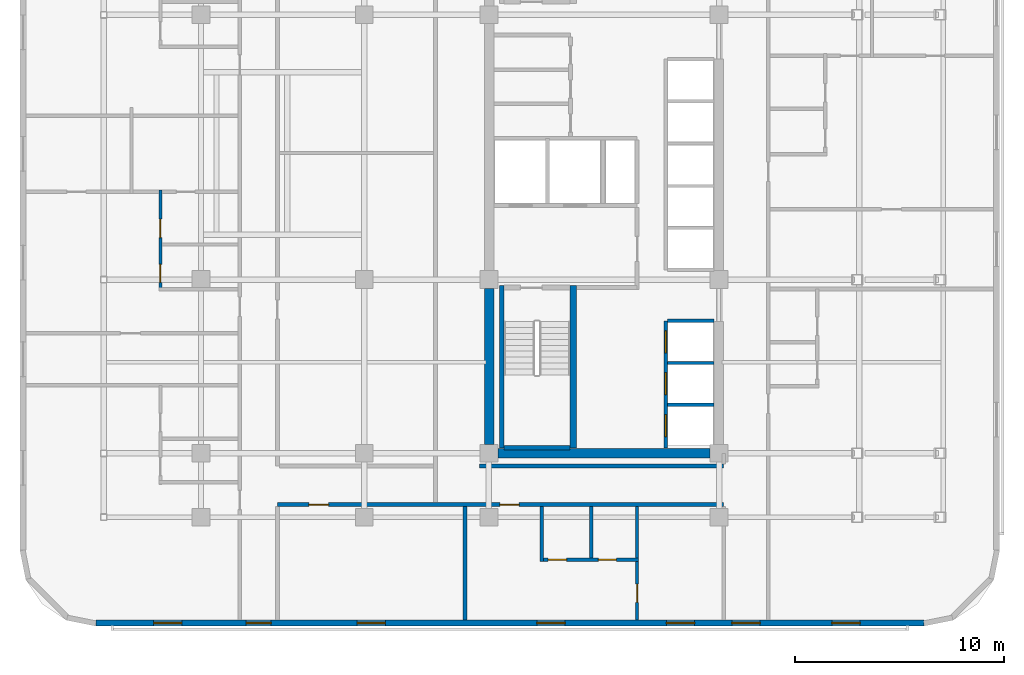
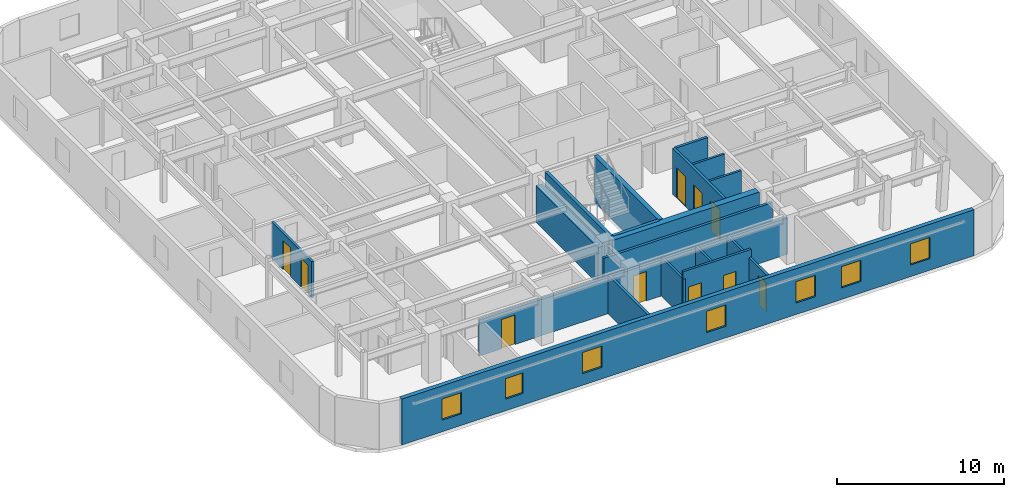
# One storey, part 6 of 14: 18 walls, 10 doors, 7 windows, 17 openings.
"""IFC4 building model written with IfcOpenShell, lengths in metres."""

from ifc_helpers import new_model, si_unit, direction, frame, frame_2d, origin, place, context, subcontext, project, spatial, rectangle, extrude, material, layer, layer_set, type_object, element, fill, save


model = new_model("IFC4")

# Units and contexts
model_context = context("Model", 3, precision=1e-05, world=origin(), true_north=direction((0.0, 1.0)))
body_context = subcontext(model_context, "Body", "Model", "MODEL_VIEW")
ifc_project = project(units=[si_unit("LENGTHUNIT", "METRE"), si_unit("AREAUNIT", "SQUARE_METRE"), si_unit("VOLUMEUNIT", "CUBIC_METRE"), si_unit("PLANEANGLEUNIT", "RADIAN"), si_unit("MASSUNIT", "GRAM", prefix="KILO")], contexts=[model_context])

# Site, building, storey
site_placement = place(None, origin())
site = spatial("IfcSite", under=ifc_project, at=site_placement, CompositionType="ELEMENT")
building_placement = place(site_placement, origin())
building = spatial("IfcBuilding", under=site, at=building_placement, Name="Ochreholt Gables", CompositionType="ELEMENT")
storey_placement = place(building_placement, frame((0.0, 0.0, 52.800048828125)))
storey = spatial("IfcBuildingStorey", under=building, at=storey_placement, Name="L13", CompositionType="ELEMENT", Elevation=52.800048828125)

# Walls
ifc_material_1 = material(Name="Concrete 60 MPa", Category="concrete")
ifc_layer_1 = layer(ifc_material_1, 0.449951171875, Name="Concrete 60 MPa")
ifc_layer_set_1 = layer_set([ifc_layer_1], Name="Concrete 60 MPa")
wall_type_1 = type_object("IfcWallType", Name="WALL-CSW-450", PredefinedType="SHEAR", material=ifc_layer_set_1)
wall_1_placement = place(storey_placement, frame((24.22509765625, 9.675048828125, 0.0), z_axis=(0.0, 0.0, 1.0), x_axis=(0.0, 1.0, 0.0)))
element("IfcWall", 1, at=wall_1_placement, inside=storey, type_object=wall_type_1, Name="L13 Core West Shear Wall WS", PredefinedType="SHEAR", context=body_context, shape_type="SweptSolid", body=[
    extrude(rectangle(XDim=7.449951171875, YDim=0.449951171875, at=frame_2d((3.72509765625, 0.0))), origin(), (0.0, 0.0, 1.0), 2.6669921875),
])
wall_2_placement = place(storey_placement, frame((24.625, 9.25, 0.0), z_axis=(0.0, 0.0, 1.0), x_axis=(1.0, 0.0, 0.0)))
element("IfcWall", 2, at=wall_2_placement, inside=storey, type_object=wall_type_1, Name="L13 Core South Shear Wall", PredefinedType="SHEAR", context=body_context, shape_type="SweptSolid", body=[
    extrude(rectangle(XDim=10.14990234375, YDim=0.449951171875, at=frame_2d((5.074951171875, 0.0))), origin(), (0.0, 0.0, 1.0), 3.35986328125),
])

# Wall, openings, windows
ifc_material_2 = material(Name="Precast concrete 40 MPa", Category="concrete")
ifc_layer_2 = layer(ifc_material_2, 0.2900390625, Name="Precast concrete 40 MPa")
ifc_layer_set_2 = layer_set([ifc_layer_2], Name="Precast concrete 40 MPa")
wall_type_2 = type_object("IfcWallType", Name="WALL-EXT-290", PredefinedType="SOLIDWALL", material=ifc_layer_set_2)
wall_3_placement = place(storey_placement, frame((5.419921875, 1.14501953125, 0.0), z_axis=(0.0, 0.0, 1.0), x_axis=(1.0, 0.0, 0.0)))
wall_3 = element("IfcWall", 3, at=wall_3_placement, inside=storey, type_object=wall_type_2, Name="L13 South Exterior Wall", PredefinedType="SOLIDWALL", context=body_context, shape_type="SweptSolid", body=[
    extrude(rectangle(XDim=39.56005859375, YDim=0.2900390625, at=frame_2d((19.780029296875, 0.0))), origin(), (0.0, 0.0, 1.0), 3.35986328125),
])
opening_1_placement = place(wall_3_placement, frame((2.764892578125, 0.0, 0.85009765625)))
opening_1 = element("IfcOpeningElement", 4, at=opening_1_placement, cuts=wall_3, Name="Opening WN-8", PredefinedType="OPENING", context=body_context, shape_type="SweptSolid", body=[
    extrude(rectangle(XDim=1.35009765625, YDim=1.550048828125, at=frame_2d((0.675048828125, 0.77490234375))), frame((0.0, 0.155029296875, 0.0), z_axis=(0.0, -1.0, 0.0), x_axis=(1.0, 0.0, 0.0)), (0.0, 0.0, 1.0), 0.31005859375),
])
opening_2_placement = place(wall_3_placement, frame((7.179931640625, 0.0, 0.85009765625)))
opening_2 = element("IfcOpeningElement", 5, at=opening_2_placement, cuts=wall_3, Name="Opening WN-3", PredefinedType="OPENING", context=body_context, shape_type="SweptSolid", body=[
    extrude(rectangle(XDim=1.199951171875, YDim=1.5, at=frame_2d((0.60009765625, 0.75))), frame((0.0, 0.155029296875, 0.0), z_axis=(0.0, -1.0, 0.0), x_axis=(1.0, 0.0, 0.0)), (0.0, 0.0, 1.0), 0.31005859375),
])
opening_3_placement = place(wall_3_placement, frame((12.482177734375, 0.0, 0.85009765625)))
opening_3 = element("IfcOpeningElement", 6, at=opening_3_placement, cuts=wall_3, Name="Opening WN-8", PredefinedType="OPENING", context=body_context, shape_type="SweptSolid", body=[
    extrude(rectangle(XDim=1.35009765625, YDim=1.550048828125, at=frame_2d((0.675048828125, 0.77490234375))), frame((0.0, 0.155029296875, 0.0), z_axis=(0.0, -1.0, 0.0), x_axis=(1.0, 0.0, 0.0)), (0.0, 0.0, 1.0), 0.31005859375),
])
opening_4_placement = place(wall_3_placement, frame((21.072265625, 0.0, 0.85009765625)))
opening_4 = element("IfcOpeningElement", 7, at=opening_4_placement, cuts=wall_3, Name="Opening WN-8", PredefinedType="OPENING", context=body_context, shape_type="SweptSolid", body=[
    extrude(rectangle(XDim=1.35009765625, YDim=1.550048828125, at=frame_2d((0.675048828125, 0.77490234375))), frame((0.0, 0.155029296875, 0.0), z_axis=(0.0, -1.0, 0.0), x_axis=(1.0, 0.0, 0.0)), (0.0, 0.0, 1.0), 0.31005859375),
])
opening_5_placement = place(wall_3_placement, frame((27.2548828125, 0.0, 0.85009765625)))
opening_5 = element("IfcOpeningElement", 8, at=opening_5_placement, cuts=wall_3, Name="Opening WN-8", PredefinedType="OPENING", context=body_context, shape_type="SweptSolid", body=[
    extrude(rectangle(XDim=1.35009765625, YDim=1.550048828125, at=frame_2d((0.675048828125, 0.77490234375))), frame((0.0, 0.155029296875, 0.0), z_axis=(0.0, -1.0, 0.0), x_axis=(1.0, 0.0, 0.0)), (0.0, 0.0, 1.0), 0.31005859375),
])
opening_6_placement = place(wall_3_placement, frame((30.389892578125, 0.0, 0.85009765625)))
opening_6 = element("IfcOpeningElement", 9, at=opening_6_placement, cuts=wall_3, Name="Opening WN-8", PredefinedType="OPENING", context=body_context, shape_type="SweptSolid", body=[
    extrude(rectangle(XDim=1.35009765625, YDim=1.550048828125, at=frame_2d((0.675048828125, 0.77490234375))), frame((0.0, 0.155029296875, 0.0), z_axis=(0.0, -1.0, 0.0), x_axis=(1.0, 0.0, 0.0)), (0.0, 0.0, 1.0), 0.31005859375),
])
opening_7_placement = place(wall_3_placement, frame((35.169921875, 0.0, 0.85009765625)))
opening_7 = element("IfcOpeningElement", 10, at=opening_7_placement, cuts=wall_3, Name="Opening WN-8", PredefinedType="OPENING", context=body_context, shape_type="SweptSolid", body=[
    extrude(rectangle(XDim=1.35009765625, YDim=1.550048828125, at=frame_2d((0.675048828125, 0.77490234375))), frame((0.0, 0.155029296875, 0.0), z_axis=(0.0, -1.0, 0.0), x_axis=(1.0, 0.0, 0.0)), (0.0, 0.0, 1.0), 0.31005859375),
])
ifc_material_3 = material(Name="Triple-Glazed Thermally Broken Aluminium Window", Category="aluminium")
window_type_1 = type_object("IfcWindowType", Name="WIN-RES-1200", PartitioningType="SINGLE_PANEL", PredefinedType="WINDOW", material=ifc_material_3)
window_1_placement = place(opening_2_placement, origin())
window_1 = element("IfcWindow", 11, at=window_1_placement, inside=storey, type_object=window_type_1, Name="L13 Window W-EXT-S-L13-2", OverallHeight=1.5, OverallWidth=1.199951171875, PartitioningType="SINGLE_PANEL", PredefinedType="WINDOW", context=body_context, shape_type="SweptSolid", body=[
    extrude(rectangle(XDim=1.199951171875, YDim=1.5, at=frame_2d((0.60009765625, 0.75))), frame((0.0, 0.030029296875, 0.0), z_axis=(0.0, -1.0, 0.0), x_axis=(1.0, 0.0, 0.0)), (0.0, 0.0, 1.0), 0.06005859375),
])
fill(opening_2, window_1)
window_type_2 = type_object("IfcWindowType", Name="WIN-RES-1350", PartitioningType="SINGLE_PANEL", PredefinedType="WINDOW", material=ifc_material_3)
window_2_placement = place(opening_1_placement, origin())
window_2 = element("IfcWindow", 12, at=window_2_placement, inside=storey, type_object=window_type_2, Name="L13 Window W-EXT-S-L13-1", OverallHeight=1.550048828125, OverallWidth=1.35009765625, PartitioningType="SINGLE_PANEL", PredefinedType="WINDOW", context=body_context, shape_type="SweptSolid", body=[
    extrude(rectangle(XDim=1.35009765625, YDim=1.550048828125, at=frame_2d((0.675048828125, 0.77490234375))), frame((0.0, 0.030029296875, 0.0), z_axis=(0.0, -1.0, 0.0), x_axis=(1.0, 0.0, 0.0)), (0.0, 0.0, 1.0), 0.06005859375),
])
fill(opening_1, window_2)
window_3_placement = place(opening_3_placement, origin())
window_3 = element("IfcWindow", 13, at=window_3_placement, inside=storey, type_object=window_type_2, Name="L13 Window W-EXT-S-L13-3", OverallHeight=1.550048828125, OverallWidth=1.35009765625, PartitioningType="SINGLE_PANEL", PredefinedType="WINDOW", context=body_context, shape_type="SweptSolid", body=[
    extrude(rectangle(XDim=1.35009765625, YDim=1.550048828125, at=frame_2d((0.675048828125, 0.77490234375))), frame((0.0, 0.030029296875, 0.0), z_axis=(0.0, -1.0, 0.0), x_axis=(1.0, 0.0, 0.0)), (0.0, 0.0, 1.0), 0.06005859375),
])
fill(opening_3, window_3)
window_4_placement = place(opening_4_placement, origin())
window_4 = element("IfcWindow", 14, at=window_4_placement, inside=storey, type_object=window_type_2, Name="L13 Window W-EXT-S-L13-4", OverallHeight=1.550048828125, OverallWidth=1.35009765625, PartitioningType="SINGLE_PANEL", PredefinedType="WINDOW", context=body_context, shape_type="SweptSolid", body=[
    extrude(rectangle(XDim=1.35009765625, YDim=1.550048828125, at=frame_2d((0.675048828125, 0.77490234375))), frame((0.0, 0.030029296875, 0.0), z_axis=(0.0, -1.0, 0.0), x_axis=(1.0, 0.0, 0.0)), (0.0, 0.0, 1.0), 0.06005859375),
])
fill(opening_4, window_4)
window_5_placement = place(opening_5_placement, origin())
window_5 = element("IfcWindow", 15, at=window_5_placement, inside=storey, type_object=window_type_2, Name="L13 Window W-EXT-S-L13-5", OverallHeight=1.550048828125, OverallWidth=1.35009765625, PartitioningType="SINGLE_PANEL", PredefinedType="WINDOW", context=body_context, shape_type="SweptSolid", body=[
    extrude(rectangle(XDim=1.35009765625, YDim=1.550048828125, at=frame_2d((0.675048828125, 0.77490234375))), frame((0.0, 0.030029296875, 0.0), z_axis=(0.0, -1.0, 0.0), x_axis=(1.0, 0.0, 0.0)), (0.0, 0.0, 1.0), 0.06005859375),
])
fill(opening_5, window_5)
window_6_placement = place(opening_6_placement, origin())
window_6 = element("IfcWindow", 16, at=window_6_placement, inside=storey, type_object=window_type_2, Name="L13 Window W-EXT-S-L13-6", OverallHeight=1.550048828125, OverallWidth=1.35009765625, PartitioningType="SINGLE_PANEL", PredefinedType="WINDOW", context=body_context, shape_type="SweptSolid", body=[
    extrude(rectangle(XDim=1.35009765625, YDim=1.550048828125, at=frame_2d((0.675048828125, 0.77490234375))), frame((0.0, 0.030029296875, 0.0), z_axis=(0.0, -1.0, 0.0), x_axis=(1.0, 0.0, 0.0)), (0.0, 0.0, 1.0), 0.06005859375),
])
fill(opening_6, window_6)
window_7_placement = place(opening_7_placement, origin())
window_7 = element("IfcWindow", 17, at=window_7_placement, inside=storey, type_object=window_type_2, Name="L13 Window W-EXT-S-L13-7", OverallHeight=1.550048828125, OverallWidth=1.35009765625, PartitioningType="SINGLE_PANEL", PredefinedType="WINDOW", context=body_context, shape_type="SweptSolid", body=[
    extrude(rectangle(XDim=1.35009765625, YDim=1.550048828125, at=frame_2d((0.675048828125, 0.77490234375))), frame((0.0, 0.030029296875, 0.0), z_axis=(0.0, -1.0, 0.0), x_axis=(1.0, 0.0, 0.0)), (0.0, 0.0, 1.0), 0.06005859375),
])
fill(opening_7, window_7)

# Wall, openings, doors
ifc_material_4 = material(Name="Fire-Rated Gypsum Acoustic Partition", Category="gypsum")
ifc_layer_3 = layer(ifc_material_4, 0.179931640625, Name="Fire-Rated Gypsum Acoustic Partition")
ifc_layer_set_3 = layer_set([ifc_layer_3], Name="Fire-Rated Gypsum Acoustic Partition")
wall_type_3 = type_object("IfcWallType", Name="WALL-INT-CR180", PredefinedType="STANDARD", material=ifc_layer_set_3)
wall_4_placement = place(storey_placement, frame((14.10009765625, 6.800048828125, 0.0), z_axis=(0.0, 0.0, 1.0), x_axis=(1.0, 0.0, 0.0)))
wall_4 = element("IfcWall", 18, at=wall_4_placement, inside=storey, type_object=wall_type_3, Name="L13 Interior Wall WI-C1S-L13", PredefinedType="STANDARD", context=body_context, shape_type="SweptSolid", body=[
    extrude(rectangle(XDim=21.31982421875, YDim=0.179931640625, at=frame_2d((10.659912109375, 0.0))), origin(), (0.0, 0.0, 1.0), 2.64892578125),
])
opening_8_placement = place(wall_4_placement, frame((1.5, 0.0, 0.0)))
opening_8 = element("IfcOpeningElement", 19, at=opening_8_placement, cuts=wall_4, Name="Opening D-GN1", PredefinedType="OPENING", context=body_context, shape_type="SweptSolid", body=[
    extrude(rectangle(XDim=0.949951171875, YDim=2.14990234375, at=frame_2d((0.47509765625, 1.074951171875))), frame((0.0, 0.099853515625, 0.0), z_axis=(0.0, -1.0, 0.0), x_axis=(1.0, 0.0, 0.0)), (0.0, 0.0, 1.0), 0.199951171875),
])
opening_9_placement = place(wall_4_placement, frame((10.62451171875, 0.0, 0.0)))
opening_9 = element("IfcOpeningElement", 20, at=opening_9_placement, cuts=wall_4, Name="Opening D-UN1", PredefinedType="OPENING", context=body_context, shape_type="SweptSolid", body=[
    extrude(rectangle(XDim=0.919921875, YDim=2.14990234375, at=frame_2d((0.4599609375, 1.074951171875))), frame((0.0, 0.099853515625, 0.0), z_axis=(0.0, -1.0, 0.0), x_axis=(1.0, 0.0, 0.0)), (0.0, 0.0, 1.0), 0.199951171875),
])
ifc_material_5 = material(Name="Engineered Oak Timber", Category="wood")
door_type_1 = type_object("IfcDoorType", Name="DR-INT-GEN950", OperationType="NOTDEFINED", PredefinedType="DOOR", material=ifc_material_5)
door_1_placement = place(opening_8_placement, origin())
door_1 = element("IfcDoor", 21, at=door_1_placement, inside=storey, type_object=door_type_1, Name="L13 Door D-C1SS-L13", OperationType="SINGLE_SWING_LEFT", OverallHeight=2.14990234375, OverallWidth=0.949951171875, PredefinedType="DOOR", context=body_context, shape_type="SweptSolid", body=[
    extrude(rectangle(XDim=0.949951171875, YDim=2.14990234375, at=frame_2d((0.47509765625, 1.074951171875))), frame((0.0, 0.02490234375, 0.0), z_axis=(0.0, -1.0, 0.0), x_axis=(1.0, 0.0, 0.0)), (0.0, 0.0, 1.0), 0.050048828125),
])
fill(opening_8, door_1)
door_type_2 = type_object("IfcDoorType", Name="DR-INT-UNT920", OperationType="NOTDEFINED", PredefinedType="DOOR", material=ifc_material_5)
door_2_placement = place(opening_9_placement, origin())
door_2 = element("IfcDoor", 22, at=door_2_placement, inside=storey, type_object=door_type_2, Name="L13 Door D-U-L13S1-ENT", OperationType="SINGLE_SWING_RIGHT", OverallHeight=2.14990234375, OverallWidth=0.919921875, PredefinedType="DOOR", context=body_context, shape_type="SweptSolid", body=[
    extrude(rectangle(XDim=0.919921875, YDim=2.14990234375, at=frame_2d((0.4599609375, 1.074951171875))), frame((0.0, 0.02490234375, 0.0), z_axis=(0.0, -1.0, 0.0), x_axis=(1.0, 0.0, 0.0)), (0.0, 0.0, 1.0), 0.050048828125),
])
fill(opening_9, door_2)

# Walls
wall_5_placement = place(storey_placement, frame((23.75, 8.64990234375, 0.0), z_axis=(0.0, 0.0, 1.0), x_axis=(1.0, 0.0, 0.0)))
element("IfcWall", 23, at=wall_5_placement, inside=storey, type_object=wall_type_3, Name="L13 Interior Wall WI-C1S2-L13", PredefinedType="STANDARD", context=body_context, shape_type="SweptSolid", body=[
    extrude(rectangle(XDim=11.669921875, YDim=0.179931640625, at=frame_2d((5.8349609375, 0.0))), origin(), (0.0, 0.0, 1.0), 2.64892578125),
])
ifc_material_6 = material(Name="Double-Stud Acoustic Demising Wall", Category="gypsum")
ifc_layer_4 = layer(ifc_material_6, 0.179931640625, Name="Double-Stud Acoustic Demising Wall")
ifc_layer_set_4 = layer_set([ifc_layer_4], Name="Double-Stud Acoustic Demising Wall")
wall_type_4 = type_object("IfcWallType", Name="WALL-INT-DM180", PredefinedType="PARTITIONING", material=ifc_layer_set_4)
wall_6_placement = place(storey_placement, frame((23.054443359375, 1.2900390625, 0.0), z_axis=(0.0, 0.0, 1.0), x_axis=(0.0, 1.0, 0.0)))
element("IfcWall", 24, at=wall_6_placement, inside=storey, type_object=wall_type_4, Name="L13 Interior Wall WI-UDS1-L13", PredefinedType="PARTITIONING", context=body_context, shape_type="SweptSolid", body=[
    extrude(rectangle(XDim=5.419921875, YDim=0.179931640625, at=frame_2d((2.7099609375, 0.0))), origin(), (0.0, 0.0, 1.0), 2.808837890625),
])

# Wall, openings, doors
ifc_material_7 = material(Name="Moisture-Resistant Plumbing Chase Wall", Category="gypsum")
ifc_layer_5 = layer(ifc_material_7, 0.159912109375, Name="Moisture-Resistant Plumbing Chase Wall")
ifc_layer_set_5 = layer_set([ifc_layer_5], Name="Moisture-Resistant Plumbing Chase Wall")
wall_type_5 = type_object("IfcWallType", Name="WALL-INT-PL160", PredefinedType="PLUMBINGWALL", material=ifc_layer_set_5)
wall_7_placement = place(storey_placement, frame((8.510009765625, 17.0, 0.0), z_axis=(0.0, 0.0, 1.0), x_axis=(0.0, 1.0, 0.0)))
wall_7 = element("IfcWall", 25, at=wall_7_placement, inside=storey, type_object=wall_type_5, Name="L13 Interior Wall WU-L13W2-WX", PredefinedType="PLUMBINGWALL", context=body_context, shape_type="SweptSolid", body=[
    extrude(rectangle(XDim=4.830078125, YDim=0.159912109375, at=frame_2d((2.4150390625, 0.0))), origin(), (0.0, 0.0, 1.0), 2.64892578125),
])
opening_10_placement = place(wall_7_placement, frame((0.419921875, 0.0, 0.0)))
opening_10 = element("IfcOpeningElement", 26, at=opening_10_placement, cuts=wall_7, Name="Opening D-BT1", PredefinedType="OPENING", context=body_context, shape_type="SweptSolid", body=[
    extrude(rectangle(XDim=0.860107421875, YDim=2.1201171875, at=frame_2d((0.43017578125, 1.06005859375))), frame((0.0, 0.08984375, 0.0), z_axis=(0.0, -1.0, 0.0), x_axis=(1.0, 0.0, 0.0)), (0.0, 0.0, 1.0), 0.179931640625),
])
opening_11_placement = place(wall_7_placement, frame((2.55908203125, 0.0, 0.0)))
opening_11 = element("IfcOpeningElement", 27, at=opening_11_placement, cuts=wall_7, Name="Opening D-GN2", PredefinedType="OPENING", context=body_context, shape_type="SweptSolid", body=[
    extrude(rectangle(XDim=0.8798828125, YDim=2.1201171875, at=frame_2d((0.43994140625, 1.06005859375))), frame((0.0, 0.08984375, 0.0), z_axis=(0.0, -1.0, 0.0), x_axis=(1.0, 0.0, 0.0)), (0.0, 0.0, 1.0), 0.179931640625),
])
door_type_3 = type_object("IfcDoorType", Name="DR-INT-BTH860", OperationType="NOTDEFINED", PredefinedType="DOOR", material=ifc_material_5)
door_3_placement = place(opening_10_placement, origin())
door_3 = element("IfcDoor", 28, at=door_3_placement, inside=storey, type_object=door_type_3, Name="L13 Door D-U-L13W2-BTH", OperationType="SINGLE_SWING_LEFT", OverallHeight=2.1201171875, OverallWidth=0.860107421875, PredefinedType="DOOR", context=body_context, shape_type="SweptSolid", body=[
    extrude(rectangle(XDim=0.860107421875, YDim=2.1201171875, at=frame_2d((0.43017578125, 1.06005859375))), frame((0.0, 0.02490234375, 0.0), z_axis=(0.0, -1.0, 0.0), x_axis=(1.0, 0.0, 0.0)), (0.0, 0.0, 1.0), 0.050048828125),
])
fill(opening_10, door_3)
door_type_4 = type_object("IfcDoorType", Name="DR-INT-GEN880", OperationType="NOTDEFINED", PredefinedType="DOOR", material=ifc_material_5)
door_4_placement = place(opening_11_placement, origin())
door_4 = element("IfcDoor", 29, at=door_4_placement, inside=storey, type_object=door_type_4, Name="L13 Door D-U-L13W2-KIT", OperationType="SINGLE_SWING_RIGHT", OverallHeight=2.1201171875, OverallWidth=0.8798828125, PredefinedType="DOOR", context=body_context, shape_type="SweptSolid", body=[
    extrude(rectangle(XDim=0.8798828125, YDim=2.1201171875, at=frame_2d((0.43994140625, 1.06005859375))), frame((0.0, 0.02490234375, 0.0), z_axis=(0.0, -1.0, 0.0), x_axis=(1.0, 0.0, 0.0)), (0.0, 0.0, 1.0), 0.050048828125),
])
fill(opening_11, door_4)

wall_8_placement = place(storey_placement, frame((26.64990234375, 4.1650390625, 0.0), z_axis=(0.0, 0.0, 1.0), x_axis=(1.0, 0.0, 0.0)))
wall_8 = element("IfcWall", 30, at=wall_8_placement, inside=storey, type_object=wall_type_5, Name="L13 Interior Wall WU-L13S1-WY", PredefinedType="PLUMBINGWALL", context=body_context, shape_type="SweptSolid", body=[
    extrude(rectangle(XDim=4.710205078125, YDim=0.159912109375, at=frame_2d((2.35498046875, 0.0))), origin(), (0.0, 0.0, 1.0), 3.35986328125),
])
opening_12_placement = place(wall_8_placement, frame((0.3798828125, 0.0, 0.0)))
opening_12 = element("IfcOpeningElement", 31, at=opening_12_placement, cuts=wall_8, Name="Opening D-GN2", PredefinedType="OPENING", context=body_context, shape_type="SweptSolid", body=[
    extrude(rectangle(XDim=0.8798828125, YDim=2.1201171875, at=frame_2d((0.43994140625, 1.06005859375))), frame((0.0, 0.08984375, 0.0), z_axis=(0.0, -1.0, 0.0), x_axis=(1.0, 0.0, 0.0)), (0.0, 0.0, 1.0), 0.179931640625),
])
opening_13_placement = place(wall_8_placement, frame((2.785888671875, 0.0, 0.0)))
opening_13 = element("IfcOpeningElement", 32, at=opening_13_placement, cuts=wall_8, Name="Opening D-BT1", PredefinedType="OPENING", context=body_context, shape_type="SweptSolid", body=[
    extrude(rectangle(XDim=0.860107421875, YDim=2.1201171875, at=frame_2d((0.43017578125, 1.06005859375))), frame((0.0, 0.08984375, 0.0), z_axis=(0.0, -1.0, 0.0), x_axis=(1.0, 0.0, 0.0)), (0.0, 0.0, 1.0), 0.179931640625),
])
door_5_placement = place(opening_13_placement, origin())
door_5 = element("IfcDoor", 33, at=door_5_placement, inside=storey, type_object=door_type_3, Name="L13 Door D-U-L13S1-BTH", OperationType="SINGLE_SWING_RIGHT", OverallHeight=2.1201171875, OverallWidth=0.860107421875, PredefinedType="DOOR", context=body_context, shape_type="SweptSolid", body=[
    extrude(rectangle(XDim=0.860107421875, YDim=2.1201171875, at=frame_2d((0.43017578125, 1.06005859375))), frame((0.0, 0.02490234375, 0.0), z_axis=(0.0, -1.0, 0.0), x_axis=(1.0, 0.0, 0.0)), (0.0, 0.0, 1.0), 0.050048828125),
])
fill(opening_13, door_5)
door_6_placement = place(opening_12_placement, origin())
door_6 = element("IfcDoor", 34, at=door_6_placement, inside=storey, type_object=door_type_4, Name="L13 Door D-U-L13S1-KIT", OperationType="SINGLE_SWING_LEFT", OverallHeight=2.1201171875, OverallWidth=0.8798828125, PredefinedType="DOOR", context=body_context, shape_type="SweptSolid", body=[
    extrude(rectangle(XDim=0.8798828125, YDim=2.1201171875, at=frame_2d((0.43994140625, 1.06005859375))), frame((0.0, 0.02490234375, 0.0), z_axis=(0.0, -1.0, 0.0), x_axis=(1.0, 0.0, 0.0)), (0.0, 0.0, 1.0), 0.050048828125),
])
fill(opening_12, door_6)

# Walls
wall_9_placement = place(storey_placement, frame((26.72998046875, 4.0849609375, 0.0), z_axis=(0.0, 0.0, 1.0), x_axis=(0.0, 1.0, 0.0)))
element("IfcWall", 35, at=wall_9_placement, inside=storey, type_object=wall_type_5, Name="L13 Interior Wall WU-L13S1-FY", PredefinedType="PLUMBINGWALL", context=body_context, shape_type="SweptSolid", body=[
    extrude(rectangle(XDim=2.625, YDim=0.159912109375, at=frame_2d((1.3125, 0.0))), origin(), (0.0, 0.0, 1.0), 2.808837890625),
])
wall_10_placement = place(storey_placement, frame((29.095947265625, 4.2451171875, 0.0), z_axis=(0.0, 0.0, 1.0), x_axis=(0.0, 1.0, 0.0)))
element("IfcWall", 36, at=wall_10_placement, inside=storey, type_object=wall_type_5, Name="L13 Interior Wall WU-L13S1-WK", PredefinedType="PLUMBINGWALL", context=body_context, shape_type="SweptSolid", body=[
    extrude(rectangle(XDim=2.46484375, YDim=0.159912109375, at=frame_2d((1.232421875, 0.0))), origin(), (0.0, 0.0, 1.0), 2.808837890625),
])

# Wall, opening, door
ifc_material_8 = material(Name="Gypsum Acoustic Stud Partition", Category="gypsum")
ifc_layer_6 = layer(ifc_material_8, 0.159912109375, Name="Gypsum Acoustic Stud Partition")
ifc_layer_set_6 = layer_set([ifc_layer_6], Name="Gypsum Acoustic Stud Partition")
wall_type_6 = type_object("IfcWallType", Name="WALL-INT-PT160", PredefinedType="PARTITIONING", material=ifc_layer_set_6)
wall_11_placement = place(storey_placement, frame((31.280029296875, 1.2900390625, 0.0), z_axis=(0.0, 0.0, 1.0), x_axis=(0.0, 1.0, 0.0)))
wall_11 = element("IfcWall", 37, at=wall_11_placement, inside=storey, type_object=wall_type_6, Name="L13 Interior Wall WU-L13S1-MNX", PredefinedType="PARTITIONING", context=body_context, shape_type="SweptSolid", body=[
    extrude(rectangle(XDim=5.419921875, YDim=0.159912109375, at=frame_2d((2.7099609375, 0.0))), origin(), (0.0, 0.0, 1.0), 2.808837890625),
])
opening_14_placement = place(wall_11_placement, frame((0.83740234375, 0.0, 0.0)))
opening_14 = element("IfcOpeningElement", 38, at=opening_14_placement, cuts=wall_11, Name="Opening D-BD2", PredefinedType="OPENING", context=body_context, shape_type="SweptSolid", body=[
    extrude(rectangle(XDim=0.8798828125, YDim=2.139892578125, at=frame_2d((0.43994140625, 1.06982421875))), frame((0.0, 0.08984375, 0.0), z_axis=(0.0, -1.0, 0.0), x_axis=(1.0, 0.0, 0.0)), (0.0, 0.0, 1.0), 0.179931640625),
])
door_type_5 = type_object("IfcDoorType", Name="DR-INT-BED880", OperationType="NOTDEFINED", PredefinedType="DOOR", material=ifc_material_5)
door_7_placement = place(opening_14_placement, origin())
door_7 = element("IfcDoor", 39, at=door_7_placement, inside=storey, type_object=door_type_5, Name="L13 Door D-U-L13S1-BD1", OperationType="SINGLE_SWING_LEFT", OverallHeight=2.139892578125, OverallWidth=0.8798828125, PredefinedType="DOOR", context=body_context, shape_type="SweptSolid", body=[
    extrude(rectangle(XDim=0.8798828125, YDim=2.139892578125, at=frame_2d((0.43994140625, 1.06982421875))), frame((0.0, 0.02490234375, 0.0), z_axis=(0.0, -1.0, 0.0), x_axis=(1.0, 0.0, 0.0)), (0.0, 0.0, 1.0), 0.050048828125),
])
fill(opening_14, door_7)

# Walls
ifc_material_9 = material(Name="Gypsum Shaftliner and Steel Stud", Category="steel")
ifc_layer_7 = layer(ifc_material_9, 0.14990234375, Name="Gypsum Shaftliner and Steel Stud")
ifc_layer_set_7 = layer_set([ifc_layer_7], Name="Gypsum Shaftliner and Steel Stud")
wall_type_7 = type_object("IfcWallType", Name="WALL-INT-SH150", PredefinedType="STANDARD", material=ifc_layer_set_7)
for number, where, z_axis, x_axis, name in (
    (40, (32.739990234375, 11.570068359375, 0.0), (0.0, 0.0, 1.0), (1.0, 0.0, 0.0), "L13 Interior Wall WI-LFL-D1-L13"),
    (41, (32.739990234375, 13.570068359375, 0.0), (0.0, 0.0, 1.0), (1.0, 0.0, 0.0), "L13 Interior Wall WI-LFL-D2-L13"),
):
    element("IfcWall", number, at=place(storey_placement, frame(where, z_axis=z_axis, x_axis=x_axis)), inside=storey, type_object=wall_type_7, Name=name, PredefinedType="STANDARD", context=body_context, shape_type="SweptSolid", body=[
        extrude(rectangle(XDim=2.2099609375, YDim=0.14990234375, at=frame_2d((1.10498046875, 0.0))), origin(), (0.0, 0.0, 1.0), 3.35986328125),
    ])

# Wall, openings, doors
ifc_layer_8 = layer(ifc_material_9, 0.179931640625, Name="Gypsum Shaftliner and Steel Stud")
ifc_layer_set_8 = layer_set([ifc_layer_8], Name="Gypsum Shaftliner and Steel Stud")
wall_type_8 = type_object("IfcWallType", Name="WALL-INT-SH180", PredefinedType="STANDARD", material=ifc_layer_set_8)
wall_12_placement = place(storey_placement, frame((32.64990234375, 9.5, 0.0), z_axis=(0.0, 0.0, 1.0), x_axis=(0.0, 1.0, 0.0)))
wall_12 = element("IfcWall", 42, at=wall_12_placement, inside=storey, type_object=wall_type_8, Name="L13 Interior Wall WI-LFL-FR-L13", PredefinedType="STANDARD", context=body_context, shape_type="SweptSolid", body=[
    extrude(rectangle(XDim=6.080078125, YDim=0.179931640625, at=frame_2d((3.0400390625, 0.0))), origin(), (0.0, 0.0, 1.0), 3.35986328125),
])
opening_15_placement = place(wall_12_placement, frame((0.550048828125, 0.0, 0.0)))
opening_15 = element("IfcOpeningElement", 43, at=opening_15_placement, cuts=wall_12, Name="Opening LD-PX", PredefinedType="OPENING", context=body_context, shape_type="SweptSolid", body=[
    extrude(rectangle(XDim=1.050048828125, YDim=2.199951171875, at=frame_2d((0.52490234375, 1.10009765625))), frame((0.0, 0.099853515625, 0.0), z_axis=(0.0, -1.0, 0.0), x_axis=(1.0, 0.0, 0.0)), (0.0, 0.0, 1.0), 0.199951171875),
])
opening_16_placement = place(wall_12_placement, frame((2.550048828125, 0.0, 0.0)))
opening_16 = element("IfcOpeningElement", 44, at=opening_16_placement, cuts=wall_12, Name="Opening LD-PX", PredefinedType="OPENING", context=body_context, shape_type="SweptSolid", body=[
    extrude(rectangle(XDim=1.050048828125, YDim=2.199951171875, at=frame_2d((0.52490234375, 1.10009765625))), frame((0.0, 0.099853515625, 0.0), z_axis=(0.0, -1.0, 0.0), x_axis=(1.0, 0.0, 0.0)), (0.0, 0.0, 1.0), 0.199951171875),
])
opening_17_placement = place(wall_12_placement, frame((4.550048828125, 0.0, 0.0)))
opening_17 = element("IfcOpeningElement", 45, at=opening_17_placement, cuts=wall_12, Name="Opening LD-PX", PredefinedType="OPENING", context=body_context, shape_type="SweptSolid", body=[
    extrude(rectangle(XDim=1.050048828125, YDim=2.199951171875, at=frame_2d((0.52490234375, 1.10009765625))), frame((0.0, 0.099853515625, 0.0), z_axis=(0.0, -1.0, 0.0), x_axis=(1.0, 0.0, 0.0)), (0.0, 0.0, 1.0), 0.199951171875),
])
ifc_material_10 = material(Name="Stainless Steel", Category="steel")
door_type_6 = type_object("IfcDoorType", Name="DR-LFT-PX1050", OperationType="NOTDEFINED", PredefinedType="DOOR", material=ifc_material_10)
door_8_placement = place(opening_15_placement, origin())
door_8 = element("IfcDoor", 46, at=door_8_placement, inside=storey, type_object=door_type_6, Name="L13 Door LD-L1-L13", OperationType="SLIDING_TO_LEFT", OverallHeight=2.199951171875, OverallWidth=1.050048828125, PredefinedType="DOOR", context=body_context, shape_type="SweptSolid", body=[
    extrude(rectangle(XDim=1.050048828125, YDim=2.199951171875, at=frame_2d((0.52490234375, 1.10009765625))), frame((0.0, 0.02490234375, 0.0), z_axis=(0.0, -1.0, 0.0), x_axis=(1.0, 0.0, 0.0)), (0.0, 0.0, 1.0), 0.050048828125),
])
fill(opening_15, door_8)
door_9_placement = place(opening_16_placement, origin())
door_9 = element("IfcDoor", 47, at=door_9_placement, inside=storey, type_object=door_type_6, Name="L13 Door LD-L2-L13", OperationType="SLIDING_TO_LEFT", OverallHeight=2.199951171875, OverallWidth=1.050048828125, PredefinedType="DOOR", context=body_context, shape_type="SweptSolid", body=[
    extrude(rectangle(XDim=1.050048828125, YDim=2.199951171875, at=frame_2d((0.52490234375, 1.10009765625))), frame((0.0, 0.02490234375, 0.0), z_axis=(0.0, -1.0, 0.0), x_axis=(1.0, 0.0, 0.0)), (0.0, 0.0, 1.0), 0.050048828125),
])
fill(opening_16, door_9)
door_10_placement = place(opening_17_placement, origin())
door_10 = element("IfcDoor", 48, at=door_10_placement, inside=storey, type_object=door_type_6, Name="L13 Door LD-L3-L13", OperationType="SLIDING_TO_LEFT", OverallHeight=2.199951171875, OverallWidth=1.050048828125, PredefinedType="DOOR", context=body_context, shape_type="SweptSolid", body=[
    extrude(rectangle(XDim=1.050048828125, YDim=2.199951171875, at=frame_2d((0.52490234375, 1.10009765625))), frame((0.0, 0.02490234375, 0.0), z_axis=(0.0, -1.0, 0.0), x_axis=(1.0, 0.0, 0.0)), (0.0, 0.0, 1.0), 0.050048828125),
])
fill(opening_17, door_10)

# Walls
wall_13_placement = place(storey_placement, frame((32.739990234375, 15.580078125, 0.0), z_axis=(0.0, 0.0, 1.0), x_axis=(1.0, 0.0, 0.0)))
element("IfcWall", 49, at=wall_13_placement, inside=storey, type_object=wall_type_8, Name="L13 Interior Wall WI-LFL-N-L13", PredefinedType="STANDARD", context=body_context, shape_type="SweptSolid", body=[
    extrude(rectangle(XDim=2.2099609375, YDim=0.179931640625, at=frame_2d((1.10498046875, 0.0))), origin(), (0.0, 0.0, 1.0), 3.35986328125),
])
ifc_layer_9 = layer(ifc_material_1, 0.300048828125, Name="Concrete 60 MPa")
ifc_layer_set_9 = layer_set([ifc_layer_9], Name="Concrete 60 MPa")
wall_type_9 = type_object("IfcWallType", Name="WALL-SPN-300", PredefinedType="SHEAR", material=ifc_layer_set_9)
wall_14_placement = place(storey_placement, frame((28.22998046875, 9.5, 0.0), z_axis=(0.0, 0.0, 1.0), x_axis=(0.0, 1.0, 0.0)))
element("IfcWall", 50, at=wall_14_placement, inside=storey, type_object=wall_type_9, Name="L13 Core South Spine Shear Wall", PredefinedType="SHEAR", context=body_context, shape_type="SweptSolid", body=[
    extrude(rectangle(XDim=7.760009765625, YDim=0.300048828125, at=frame_2d((3.8798828125, 0.0))), origin(), (0.0, 0.0, 1.0), 3.35986328125),
])
ifc_material_11 = material(Name="Concrete 50 MPa", Category="concrete")
ifc_layer_10 = layer(ifc_material_11, 0.219970703125, Name="Concrete 50 MPa")
ifc_layer_set_10 = layer_set([ifc_layer_10], Name="Concrete 50 MPa")
wall_type_10 = type_object("IfcWallType", Name="WALL-STW-220", PredefinedType="SHEAR", material=ifc_layer_set_10)
wall_15_placement = place(storey_placement, frame((24.81005859375, 9.5, 0.0), z_axis=(0.0, 0.0, 1.0), x_axis=(0.0, 1.0, 0.0)))
element("IfcWall", 51, at=wall_15_placement, inside=storey, type_object=wall_type_10, Name="L13 Exit Stair 1 West Wall", PredefinedType="SHEAR", context=body_context, shape_type="SweptSolid", body=[
    extrude(rectangle(XDim=7.760009765625, YDim=0.219970703125, at=frame_2d((3.8798828125, 0.0))), origin(), (0.0, 0.0, 1.0), 3.35986328125),
])
wall_16_placement = place(storey_placement, frame((24.919921875, 9.510009765625, 0.0), z_axis=(0.0, 0.0, 1.0), x_axis=(1.0, 0.0, 0.0)))
element("IfcWall", 52, at=wall_16_placement, inside=storey, type_object=wall_type_10, Name="L13 Exit Stair 1 South Wall", PredefinedType="SHEAR", context=body_context, shape_type="SweptSolid", body=[
    extrude(rectangle(XDim=3.16015625, YDim=0.219970703125, at=frame_2d((1.580078125, 0.0))), origin(), (0.0, 0.0, 1.0), 3.35986328125),
])

save(model, "model.ifc")
